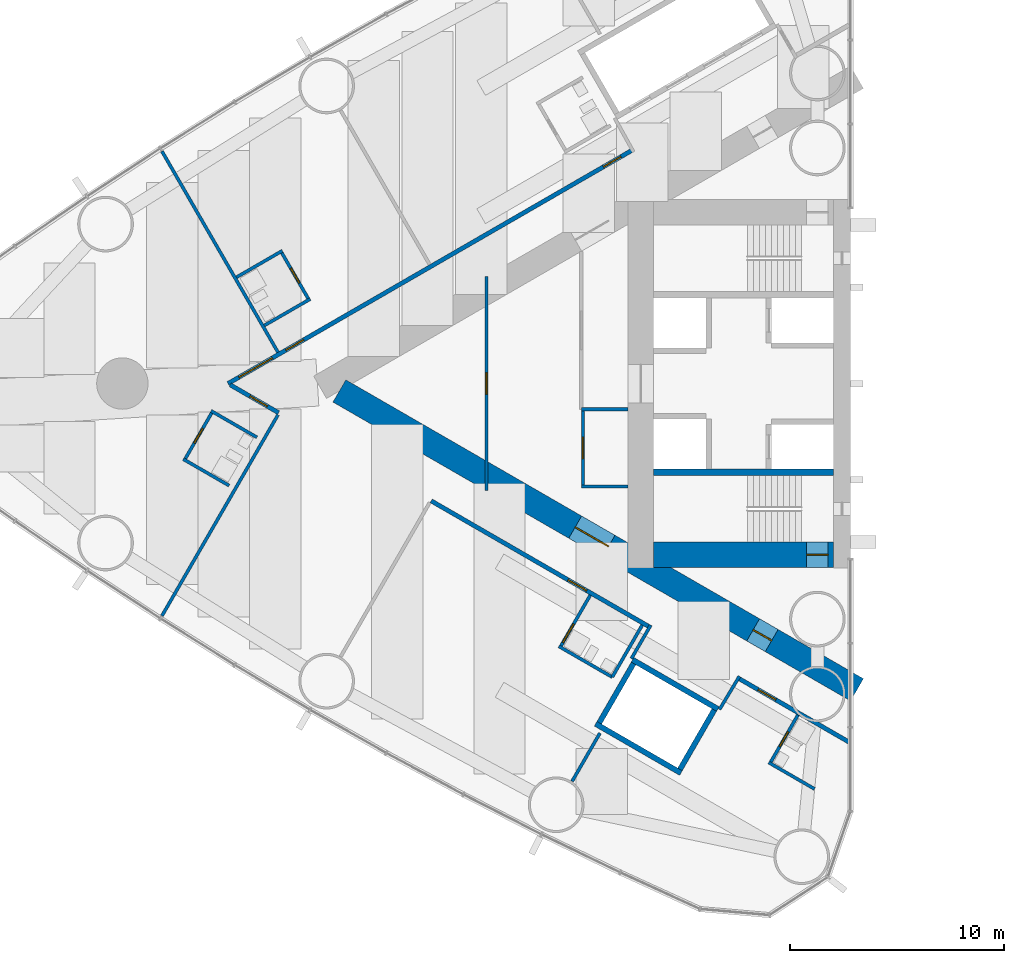
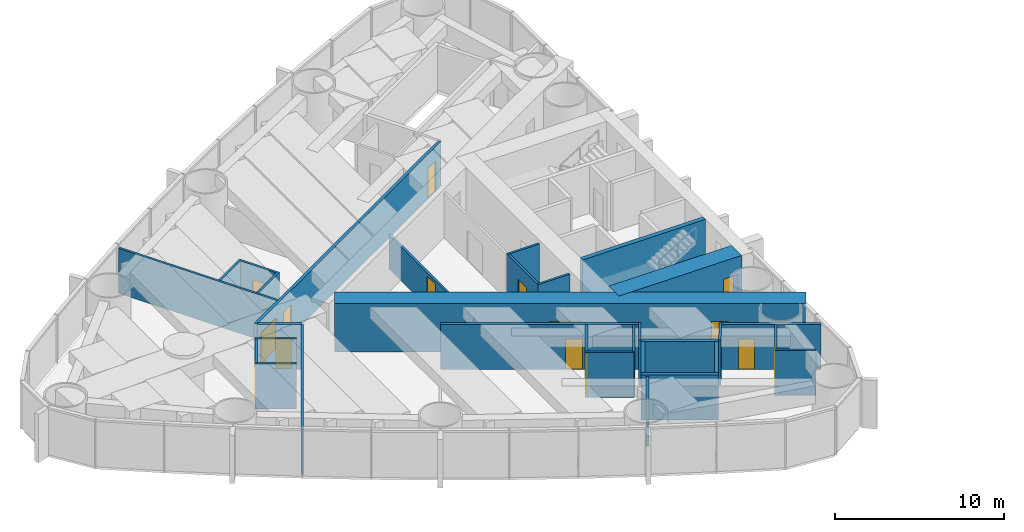
# One storey, part 11 of 18: 31 walls, 15 doors, 15 openings.
"""IFC4 building model written with IfcOpenShell, lengths in metres."""

from ifc_helpers import new_model, si_unit, direction, frame, frame_2d, origin, place, context, subcontext, project, spatial, rectangle, extrude, material, layer, layer_set, type_object, element, fill, save


model = new_model("IFC4")

# Units and contexts
model_context = context("Model", 3, precision=1e-05, world=origin(), true_north=direction((0.0, 1.0)))
body_context = subcontext(model_context, "Body", "Model", "MODEL_VIEW")
ifc_project = project(units=[si_unit("LENGTHUNIT", "METRE"), si_unit("AREAUNIT", "SQUARE_METRE"), si_unit("VOLUMEUNIT", "CUBIC_METRE"), si_unit("PLANEANGLEUNIT", "RADIAN"), si_unit("MASSUNIT", "GRAM", prefix="KILO")], contexts=[model_context])

# Site, building, storey
site_placement = place(None, origin())
site = spatial("IfcSite", under=ifc_project, at=site_placement, CompositionType="ELEMENT")
building_placement = place(site_placement, origin())
building = spatial("IfcBuilding", under=site, at=building_placement, Name="Lancet Gate Hotel", CompositionType="ELEMENT")
storey_placement = place(building_placement, frame((0.0, 0.0, 139.60009765625)))
storey = spatial("IfcBuildingStorey", under=building, at=storey_placement, Name="L37", CompositionType="ELEMENT", Elevation=139.60009765625)

# Wall
ifc_material_1 = material(Name="Moisture resistant board partition")
ifc_layer_1 = layer(ifc_material_1, 0.14990234375)
ifc_layer_set_1 = layer_set([ifc_layer_1], Name="Bathroom wall 150")
wall_type_1 = type_object("IfcWallType", Name="Bathroom wall 150", PredefinedType="PARTITIONING", material=ifc_layer_set_1)
wall_1_placement = place(storey_placement, frame((-54.02734375, 6.201416015625, 0.0), z_axis=(0.0, 0.0, 1.0), x_axis=(-0.866006523861, -0.500032699561, 0.0)))
element("IfcWall", 1, at=wall_1_placement, inside=storey, type_object=wall_type_1, Name="T1 bathroom wall 150 L37", PredefinedType="PARTITIONING", context=body_context, shape_type="SweptSolid", body=[
    extrude(rectangle(XDim=2.474853515625, YDim=0.14990234375, at=frame_2d((1.2373046875, 0.0))), origin(), (0.0, 0.0, 1.0), 3.25),
])

# Wall, opening, door
wall_2_placement = place(storey_placement, frame((-52.792236328125, 3.912109375, 0.0), z_axis=(0.0, 0.0, 1.0), x_axis=(-0.500006934395, 0.866021400173, 0.0)))
wall_2 = element("IfcWall", 2, at=wall_2_placement, inside=storey, type_object=wall_type_1, Name="T1 bathroom wall 150 L37", PredefinedType="PARTITIONING", context=body_context, shape_type="SweptSolid", body=[
    extrude(rectangle(XDim=2.60009765625, YDim=0.14990234375, at=frame_2d((1.300048828125, 0.0))), origin(), (0.0, 0.0, 1.0), 3.25),
])
opening_1_placement = place(wall_2_placement, frame((0.89990234375, 0.0, 0.0)))
opening_1 = element("IfcOpeningElement", 3, at=opening_1_placement, cuts=wall_2, Name="Opening 3703-B", PredefinedType="OPENING", context=body_context, shape_type="SweptSolid", body=[
    extrude(rectangle(XDim=0.800048828125, YDim=2.199951171875, at=frame_2d((0.39990234375, 1.10009765625))), frame((0.0, 0.0849609375, 0.0), z_axis=(0.0, -1.0, 0.0), x_axis=(1.0, 0.0, 0.0)), (0.0, 0.0, 1.0), 0.169921875),
])
ifc_material_2 = material(Name="Timber door set", Category="wood")
door_type_1 = type_object("IfcDoorType", Name="Bathroom door 800", OperationType="SINGLE_SWING_RIGHT", PredefinedType="DOOR", material=ifc_material_2)
door_1_placement = place(opening_1_placement, origin())
door_1 = element("IfcDoor", 4, at=door_1_placement, inside=storey, type_object=door_type_1, Name="3703-B", OperationType="SINGLE_SWING_RIGHT", OverallHeight=2.199951171875, OverallWidth=0.800048828125, PredefinedType="DOOR", context=body_context, shape_type="SweptSolid", body=[
    extrude(rectangle(XDim=0.800048828125, YDim=2.199951171875, at=frame_2d((0.39990234375, 1.10009765625))), frame((0.0, 0.02490234375, 0.0), z_axis=(0.0, -1.0, 0.0), x_axis=(1.0, 0.0, 0.0)), (0.0, 0.0, 1.0), 0.050048828125),
])
fill(opening_1, door_1)

# Walls
wall_3_placement = place(storey_placement, frame((-52.727294921875, 3.94970703125, 0.0), z_axis=(0.0, 0.0, 1.0), x_axis=(-0.866006523861, -0.500032699561, 0.0)))
element("IfcWall", 5, at=wall_3_placement, inside=storey, type_object=wall_type_1, Name="T1 bathroom wall 150 L37", PredefinedType="PARTITIONING", context=body_context, shape_type="SweptSolid", body=[
    extrude(rectangle(XDim=2.474853515625, YDim=0.14990234375, at=frame_2d((1.2373046875, 0.0))), origin(), (0.0, 0.0, 1.0), 3.25),
])
wall_4_placement = place(storey_placement, frame((-56.51708984375, -4.763916015625, 0.0), z_axis=(0.0, 0.0, 1.0), x_axis=(-0.866031185235, 0.4999899861, 0.0)))
element("IfcWall", 6, at=wall_4_placement, inside=storey, type_object=wall_type_1, Name="T1 bathroom wall 150 L37", PredefinedType="PARTITIONING", context=body_context, shape_type="SweptSolid", body=[
    extrude(rectangle(XDim=2.47509765625, YDim=0.14990234375, at=frame_2d((1.237548828125, 0.0))), origin(), (0.0, 0.0, 1.0), 3.25),
])

# Wall, opening, door
wall_5_placement = place(storey_placement, frame((-57.295654296875, -1.312255859375, 0.0), z_axis=(0.0, 0.0, 1.0), x_axis=(-0.49997716683, -0.86603858612, 0.0)))
wall_5 = element("IfcWall", 7, at=wall_5_placement, inside=storey, type_object=wall_type_1, Name="T1 bathroom wall 150 L37", PredefinedType="PARTITIONING", context=body_context, shape_type="SweptSolid", body=[
    extrude(rectangle(XDim=2.599609375, YDim=0.14990234375, at=frame_2d((1.2998046875, 0.0))), origin(), (0.0, 0.0, 1.0), 3.25),
])
opening_2_placement = place(wall_5_placement, frame((0.89990234375, 0.0, 0.0)))
opening_2 = element("IfcOpeningElement", 8, at=opening_2_placement, cuts=wall_5, Name="Opening 3705-B", PredefinedType="OPENING", context=body_context, shape_type="SweptSolid", body=[
    extrude(rectangle(XDim=0.800048828125, YDim=2.199951171875, at=frame_2d((0.39990234375, 1.10009765625))), frame((0.0, 0.0849609375, 0.0), z_axis=(0.0, -1.0, 0.0), x_axis=(1.0, 0.0, 0.0)), (0.0, 0.0, 1.0), 0.169921875),
])
door_2_placement = place(opening_2_placement, origin())
door_2 = element("IfcDoor", 9, at=door_2_placement, inside=storey, type_object=door_type_1, Name="3705-B", OperationType="SINGLE_SWING_RIGHT", OverallHeight=2.199951171875, OverallWidth=0.800048828125, PredefinedType="DOOR", context=body_context, shape_type="SweptSolid", body=[
    extrude(rectangle(XDim=0.800048828125, YDim=2.199951171875, at=frame_2d((0.39990234375, 1.10009765625))), frame((0.0, 0.02490234375, 0.0), z_axis=(0.0, -1.0, 0.0), x_axis=(1.0, 0.0, 0.0)), (0.0, 0.0, 1.0), 0.050048828125),
])
fill(opening_2, door_2)

# Walls
wall_6_placement = place(storey_placement, frame((-55.217041015625, -2.51220703125, 0.0), z_axis=(0.0, 0.0, 1.0), x_axis=(-0.866031185235, 0.4999899861, 0.0)))
element("IfcWall", 10, at=wall_6_placement, inside=storey, type_object=wall_type_1, Name="T1 bathroom wall 150 L37", PredefinedType="PARTITIONING", context=body_context, shape_type="SweptSolid", body=[
    extrude(rectangle(XDim=2.47509765625, YDim=0.14990234375, at=frame_2d((1.237548828125, 0.0))), origin(), (0.0, 0.0, 1.0), 3.25),
])
wall_7_placement = place(storey_placement, frame((-38.630126953125, -13.705322265625, 0.0), z_axis=(0.0, 0.0, 1.0), x_axis=(-0.866018712932, 0.500011588718, 0.0)))
element("IfcWall", 11, at=wall_7_placement, inside=storey, type_object=wall_type_1, Name="T1 bathroom wall 150 L37", PredefinedType="PARTITIONING", context=body_context, shape_type="SweptSolid", body=[
    extrude(rectangle(XDim=2.875, YDim=0.14990234375, at=frame_2d((1.4375, 0.0))), origin(), (0.0, 0.0, 1.0), 3.25),
])

# Wall, opening, door
wall_8_placement = place(storey_placement, frame((-39.65478515625, -9.88037109375, 0.0), z_axis=(0.0, 0.0, 1.0), x_axis=(-0.500049511043, -0.865996816683, 0.0)))
wall_8 = element("IfcWall", 12, at=wall_8_placement, inside=storey, type_object=wall_type_1, Name="T1 bathroom wall 150 L37", PredefinedType="PARTITIONING", context=body_context, shape_type="SweptSolid", body=[
    extrude(rectangle(XDim=2.800048828125, YDim=0.14990234375, at=frame_2d((1.39990234375, 0.0))), origin(), (0.0, 0.0, 1.0), 3.25),
])
opening_3_placement = place(wall_8_placement, frame((1.550048828125, 0.0, 0.0)))
opening_3 = element("IfcOpeningElement", 13, at=opening_3_placement, cuts=wall_8, Name="Opening 3707-B", PredefinedType="OPENING", context=body_context, shape_type="SweptSolid", body=[
    extrude(rectangle(XDim=1.0, YDim=2.199951171875, at=frame_2d((0.5, 1.10009765625))), frame((0.0, 0.0849609375, 0.0), z_axis=(0.0, -1.0, 0.0), x_axis=(1.0, 0.0, 0.0)), (0.0, 0.0, 1.0), 0.169921875),
])
ifc_material_3 = material(Name="Timber door set", Category="wood")
door_type_2 = type_object("IfcDoorType", Name="Accessible en-suite door 1000", OperationType="SINGLE_SWING_RIGHT", PredefinedType="DOOR", material=ifc_material_3)
door_3_placement = place(opening_3_placement, origin())
door_3 = element("IfcDoor", 14, at=door_3_placement, inside=storey, type_object=door_type_2, Name="3707-B", OperationType="SINGLE_SWING_RIGHT", OverallHeight=2.199951171875, OverallWidth=1.0, PredefinedType="DOOR", context=body_context, shape_type="SweptSolid", body=[
    extrude(rectangle(XDim=1.0, YDim=2.199951171875, at=frame_2d((0.5, 1.10009765625))), frame((0.0, 0.02490234375, 0.0), z_axis=(0.0, -1.0, 0.0), x_axis=(1.0, 0.0, 0.0)), (0.0, 0.0, 1.0), 0.050048828125),
])
fill(opening_3, door_3)

# Walls
wall_9_placement = place(storey_placement, frame((-37.22998046875, -11.280517578125, 0.0), z_axis=(0.0, 0.0, 1.0), x_axis=(-0.500049511043, -0.865996816683, 0.0)))
element("IfcWall", 15, at=wall_9_placement, inside=storey, type_object=wall_type_1, Name="T1 bathroom wall 150 L37", PredefinedType="PARTITIONING", context=body_context, shape_type="SweptSolid", body=[
    extrude(rectangle(XDim=2.800048828125, YDim=0.14990234375, at=frame_2d((1.39990234375, 0.0))), origin(), (0.0, 0.0, 1.0), 3.25),
])
wall_10_placement = place(storey_placement, frame((-29.181884765625, -18.92919921875, 0.0), z_axis=(0.0, 0.0, 1.0), x_axis=(-0.866006523861, 0.500032699561, 0.0)))
element("IfcWall", 16, at=wall_10_placement, inside=storey, type_object=wall_type_1, Name="T1 bathroom wall 150 L37", PredefinedType="PARTITIONING", context=body_context, shape_type="SweptSolid", body=[
    extrude(rectangle(XDim=2.474853515625, YDim=0.14990234375, at=frame_2d((1.2373046875, 0.0))), origin(), (0.0, 0.0, 1.0), 3.25),
])

# Wall, opening, door
wall_11_placement = place(storey_placement, frame((-29.960205078125, -15.4775390625, 0.0), z_axis=(0.0, 0.0, 1.0), x_axis=(-0.500006934395, -0.866021400173, 0.0)))
wall_11 = element("IfcWall", 17, at=wall_11_placement, inside=storey, type_object=wall_type_1, Name="T1 bathroom wall 150 L37", PredefinedType="PARTITIONING", context=body_context, shape_type="SweptSolid", body=[
    extrude(rectangle(XDim=2.60009765625, YDim=0.14990234375, at=frame_2d((1.300048828125, 0.0))), origin(), (0.0, 0.0, 1.0), 3.25),
])
opening_4_placement = place(wall_11_placement, frame((0.89990234375, 0.0, 0.0)))
opening_4 = element("IfcOpeningElement", 18, at=opening_4_placement, cuts=wall_11, Name="Opening 3708-B", PredefinedType="OPENING", context=body_context, shape_type="SweptSolid", body=[
    extrude(rectangle(XDim=0.800048828125, YDim=2.199951171875, at=frame_2d((0.39990234375, 1.10009765625))), frame((0.0, 0.0849609375, 0.0), z_axis=(0.0, -1.0, 0.0), x_axis=(1.0, 0.0, 0.0)), (0.0, 0.0, 1.0), 0.169921875),
])
door_4_placement = place(opening_4_placement, origin())
door_4 = element("IfcDoor", 19, at=door_4_placement, inside=storey, type_object=door_type_1, Name="3708-B", OperationType="SINGLE_SWING_RIGHT", OverallHeight=2.199951171875, OverallWidth=0.800048828125, PredefinedType="DOOR", context=body_context, shape_type="SweptSolid", body=[
    extrude(rectangle(XDim=0.800048828125, YDim=2.199951171875, at=frame_2d((0.39990234375, 1.10009765625))), frame((0.0, 0.02490234375, 0.0), z_axis=(0.0, -1.0, 0.0), x_axis=(1.0, 0.0, 0.0)), (0.0, 0.0, 1.0), 0.050048828125),
])
fill(opening_4, door_4)

# Wall, openings, doors
ifc_material_4 = material(Name="Concrete C70/85", Category="concrete")
ifc_layer_2 = layer(ifc_material_4, 1.199951171875)
ifc_layer_set_2 = layer_set([ifc_layer_2], Name="Buttress wall 1200")
wall_type_2 = type_object("IfcWallType", Name="Buttress wall 1200", PredefinedType="SHEAR", material=ifc_layer_set_2)
wall_12_placement = place(storey_placement, frame((-27.199951171875, -14.300048828125, 0.0), z_axis=(0.0, 0.0, 1.0), x_axis=(-0.866024021859, 0.500002393557, 0.0)))
wall_12 = element("IfcWall", 20, at=wall_12_placement, inside=storey, type_object=wall_type_2, Name="T1 buttress wall N L37", PredefinedType="SHEAR", context=body_context, shape_type="SweptSolid", body=[
    extrude(rectangle(XDim=27.906982421875, YDim=1.199951171875, at=frame_2d((13.95361328125, 0.0))), origin(), (0.0, 0.0, 1.0), 3.5),
])
opening_5_placement = place(wall_12_placement, frame((4.60009765625, 0.0, 0.0)))
opening_5 = element("IfcOpeningElement", 21, at=opening_5_placement, cuts=wall_12, Name="Opening T1-L37-LN", PredefinedType="OPENING", context=body_context, shape_type="SweptSolid", body=[
    extrude(rectangle(XDim=1.0, YDim=2.199951171875, at=frame_2d((0.5, 1.10009765625))), frame((0.0, 0.60986328125, 0.0), z_axis=(0.0, -1.0, 0.0), x_axis=(1.0, 0.0, 0.0)), (0.0, 0.0, 1.0), 1.219970703125),
])
opening_6_placement = place(wall_12_placement, frame((13.39453125, 0.0, 0.0)))
opening_6 = element("IfcOpeningElement", 22, at=opening_6_placement, cuts=wall_12, Name="Opening T1-L37-LHN", PredefinedType="OPENING", context=body_context, shape_type="SweptSolid", body=[
    extrude(rectangle(XDim=1.800048828125, YDim=2.199951171875, at=frame_2d((0.89990234375, 1.10009765625))), frame((0.0, 0.60986328125, 0.0), z_axis=(0.0, -1.0, 0.0), x_axis=(1.0, 0.0, 0.0)), (0.0, 0.0, 1.0), 1.219970703125),
])
ifc_material_5 = material(Name="Timber door set", Category="wood")
door_type_3 = type_object("IfcDoorType", Name="Lobby double door 1800", OperationType="DOUBLE_DOOR_SINGLE_SWING", PredefinedType="DOOR", material=ifc_material_5)
door_5_placement = place(opening_6_placement, origin())
door_5 = element("IfcDoor", 23, at=door_5_placement, inside=storey, type_object=door_type_3, Name="T1-L37-LHN", OperationType="DOUBLE_DOOR_SINGLE_SWING", OverallHeight=2.199951171875, OverallWidth=1.800048828125, PredefinedType="DOOR", context=body_context, shape_type="SweptSolid", body=[
    extrude(rectangle(XDim=1.800048828125, YDim=2.199951171875, at=frame_2d((0.89990234375, 1.10009765625))), frame((0.0, 0.02490234375, 0.0), z_axis=(0.0, -1.0, 0.0), x_axis=(1.0, 0.0, 0.0)), (0.0, 0.0, 1.0), 0.050048828125),
])
fill(opening_6, door_5)
ifc_material_6 = material(Name="Timber door set", Category="wood")
door_type_4 = type_object("IfcDoorType", Name="Stair lobby door 1000", OperationType="SINGLE_SWING_LEFT", PredefinedType="DOOR", material=ifc_material_6)
door_6_placement = place(opening_5_placement, origin())
door_6 = element("IfcDoor", 24, at=door_6_placement, inside=storey, type_object=door_type_4, Name="T1-L37-LN", OperationType="SINGLE_SWING_LEFT", OverallHeight=2.199951171875, OverallWidth=1.0, PredefinedType="DOOR", context=body_context, shape_type="SweptSolid", body=[
    extrude(rectangle(XDim=1.0, YDim=2.199951171875, at=frame_2d((0.5, 1.10009765625))), frame((0.0, 0.02490234375, 0.0), z_axis=(0.0, -1.0, 0.0), x_axis=(1.0, 0.0, 0.0)), (0.0, 0.0, 1.0), 0.050048828125),
])
fill(opening_5, door_6)

# Wall, opening, door
ifc_material_7 = material(Name="Concrete C70/85", Category="concrete")
ifc_layer_3 = layer(ifc_material_7, 1.199951171875)
ifc_layer_set_3 = layer_set([ifc_layer_3], Name="Core wall 1200")
wall_type_3 = type_object("IfcWallType", Name="Core wall 1200", PredefinedType="SHEAR", material=ifc_layer_set_3)
wall_13_placement = place(storey_placement, frame((-28.300048828125, -8.0, 0.0), z_axis=(0.0, 0.0, 1.0), x_axis=(-1.0, 0.0, 0.0)))
wall_13 = element("IfcWall", 25, at=wall_13_placement, inside=storey, type_object=wall_type_3, Name="T1 core wall side-N L37", PredefinedType="SHEAR", context=body_context, shape_type="SweptSolid", body=[
    extrude(rectangle(XDim=8.39990234375, YDim=1.199951171875, at=frame_2d((4.199951171875, 0.0))), origin(), (0.0, 0.0, 1.0), 3.5),
])
opening_7_placement = place(wall_13_placement, frame((0.25, 0.0, 0.0)))
opening_7 = element("IfcOpeningElement", 26, at=opening_7_placement, cuts=wall_13, Name="Opening T1-L37-ST2", PredefinedType="OPENING", context=body_context, shape_type="SweptSolid", body=[
    extrude(rectangle(XDim=1.0, YDim=2.199951171875, at=frame_2d((0.5, 1.10009765625))), frame((0.0, 0.60986328125, 0.0), z_axis=(0.0, -1.0, 0.0), x_axis=(1.0, 0.0, 0.0)), (0.0, 0.0, 1.0), 1.219970703125),
])
ifc_material_8 = material(Name="Timber door set", Category="wood")
door_type_5 = type_object("IfcDoorType", Name="Stair door 1000", OperationType="SINGLE_SWING_RIGHT", PredefinedType="DOOR", material=ifc_material_8)
door_7_placement = place(opening_7_placement, origin())
door_7 = element("IfcDoor", 27, at=door_7_placement, inside=storey, type_object=door_type_5, Name="T1-L37-ST2", OperationType="SINGLE_SWING_RIGHT", OverallHeight=2.199951171875, OverallWidth=1.0, PredefinedType="DOOR", context=body_context, shape_type="SweptSolid", body=[
    extrude(rectangle(XDim=1.0, YDim=2.199951171875, at=frame_2d((0.5, 1.10009765625))), frame((0.0, 0.02490234375, 0.0), z_axis=(0.0, -1.0, 0.0), x_axis=(1.0, 0.0, 0.0)), (0.0, 0.0, 1.0), 0.050048828125),
])
fill(opening_7, door_7)

# Wall, openings, doors
ifc_material_9 = material(Name="Gypsum board partition")
ifc_layer_4 = layer(ifc_material_9, 0.199951171875)
ifc_layer_set_4 = layer_set([ifc_layer_4], Name="Corridor wall 200")
wall_type_4 = type_object("IfcWallType", Name="Corridor wall 200", PredefinedType="PARTITIONING", material=ifc_layer_set_4)
wall_14_placement = place(storey_placement, frame((-37.699951171875, 10.8935546875, 0.0), z_axis=(0.0, 0.0, 1.0), x_axis=(-0.866027905338, -0.499995667157, 0.0)))
wall_14 = element("IfcWall", 28, at=wall_14_placement, inside=storey, type_object=wall_type_4, Name="T1 corridor wall 200 L37", PredefinedType="PARTITIONING", context=body_context, shape_type="SweptSolid", body=[
    extrude(rectangle(XDim=21.787353515625, YDim=0.199951171875, at=frame_2d((10.8935546875, 0.0))), origin(), (0.0, 0.0, 1.0), 3.25),
])
opening_8_placement = place(wall_14_placement, frame((17.7109375, 0.0, 0.0)))
opening_8 = element("IfcOpeningElement", 29, at=opening_8_placement, cuts=wall_14, Name="Opening 3703-E", PredefinedType="OPENING", context=body_context, shape_type="SweptSolid", body=[
    extrude(rectangle(XDim=0.949951171875, YDim=2.199951171875, at=frame_2d((0.47509765625, 1.10009765625))), frame((0.0, 0.10986328125, 0.0), z_axis=(0.0, -1.0, 0.0), x_axis=(1.0, 0.0, 0.0)), (0.0, 0.0, 1.0), 0.219970703125),
])
opening_9_placement = place(wall_14_placement, frame((19.39892578125, 0.0, 0.0)))
opening_9 = element("IfcOpeningElement", 30, at=opening_9_placement, cuts=wall_14, Name="Opening 3704-E", PredefinedType="OPENING", context=body_context, shape_type="SweptSolid", body=[
    extrude(rectangle(XDim=1.800048828125, YDim=2.199951171875, at=frame_2d((0.89990234375, 1.10009765625))), frame((0.0, 0.10986328125, 0.0), z_axis=(0.0, -1.0, 0.0), x_axis=(1.0, 0.0, 0.0)), (0.0, 0.0, 1.0), 0.219970703125),
])
opening_10_placement = place(wall_14_placement, frame((0.60009765625, 0.0, 0.0)))
opening_10 = element("IfcOpeningElement", 31, at=opening_10_placement, cuts=wall_14, Name="Opening 3702-E", PredefinedType="OPENING", context=body_context, shape_type="SweptSolid", body=[
    extrude(rectangle(XDim=0.949951171875, YDim=2.199951171875, at=frame_2d((0.47509765625, 1.10009765625))), frame((0.0, 0.10986328125, 0.0), z_axis=(0.0, -1.0, 0.0), x_axis=(1.0, 0.0, 0.0)), (0.0, 0.0, 1.0), 0.219970703125),
])
ifc_material_10 = material(Name="Timber door set", Category="wood")
door_type_6 = type_object("IfcDoorType", Name="Double door 1800", OperationType="DOUBLE_DOOR_SINGLE_SWING", PredefinedType="DOOR", material=ifc_material_10)
door_8_placement = place(opening_9_placement, origin())
door_8 = element("IfcDoor", 32, at=door_8_placement, inside=storey, type_object=door_type_6, Name="3704-E", OperationType="DOUBLE_DOOR_SINGLE_SWING", OverallHeight=2.199951171875, OverallWidth=1.800048828125, PredefinedType="DOOR", context=body_context, shape_type="SweptSolid", body=[
    extrude(rectangle(XDim=1.800048828125, YDim=2.199951171875, at=frame_2d((0.89990234375, 1.10009765625))), frame((0.0, 0.02490234375, 0.0), z_axis=(0.0, -1.0, 0.0), x_axis=(1.0, 0.0, 0.0)), (0.0, 0.0, 1.0), 0.050048828125),
])
fill(opening_9, door_8)
ifc_material_11 = material(Name="Timber door set", Category="wood")
door_type_7 = type_object("IfcDoorType", Name="Guest room entry door 950", OperationType="SINGLE_SWING_LEFT", PredefinedType="DOOR", material=ifc_material_11)
door_9_placement = place(opening_8_placement, origin())
door_9 = element("IfcDoor", 33, at=door_9_placement, inside=storey, type_object=door_type_7, Name="3703-E", OperationType="SINGLE_SWING_LEFT", OverallHeight=2.199951171875, OverallWidth=0.949951171875, PredefinedType="DOOR", context=body_context, shape_type="SweptSolid", body=[
    extrude(rectangle(XDim=0.949951171875, YDim=2.199951171875, at=frame_2d((0.47509765625, 1.10009765625))), frame((0.0, 0.02490234375, 0.0), z_axis=(0.0, -1.0, 0.0), x_axis=(1.0, 0.0, 0.0)), (0.0, 0.0, 1.0), 0.050048828125),
])
fill(opening_8, door_9)
door_10_placement = place(opening_10_placement, origin())
door_10 = element("IfcDoor", 34, at=door_10_placement, inside=storey, type_object=door_type_7, Name="3702-E", OperationType="SINGLE_SWING_LEFT", OverallHeight=2.199951171875, OverallWidth=0.949951171875, PredefinedType="DOOR", context=body_context, shape_type="SweptSolid", body=[
    extrude(rectangle(XDim=0.949951171875, YDim=2.199951171875, at=frame_2d((0.47509765625, 1.10009765625))), frame((0.0, 0.02490234375, 0.0), z_axis=(0.0, -1.0, 0.0), x_axis=(1.0, 0.0, 0.0)), (0.0, 0.0, 1.0), 0.050048828125),
])
fill(opening_10, door_10)

# Wall, opening, door
wall_15_placement = place(storey_placement, frame((-27.572021484375, -16.740966796875, 0.0), z_axis=(0.0, 0.0, 1.0), x_axis=(-0.866024464444, 0.500001626982, 0.0)))
wall_15 = element("IfcWall", 35, at=wall_15_placement, inside=storey, type_object=wall_type_4, Name="T1 corridor wall 200 L37", PredefinedType="PARTITIONING", context=body_context, shape_type="SweptSolid", body=[
    extrude(rectangle(XDim=5.955078125, YDim=0.199951171875, at=frame_2d((2.9775390625, 0.0))), origin(), (0.0, 0.0, 1.0), 3.25),
])
opening_11_placement = place(wall_15_placement, frame((3.949951171875, 0.0, 0.0)))
opening_11 = element("IfcOpeningElement", 36, at=opening_11_placement, cuts=wall_15, Name="Opening 3708-E", PredefinedType="OPENING", context=body_context, shape_type="SweptSolid", body=[
    extrude(rectangle(XDim=0.949951171875, YDim=2.199951171875, at=frame_2d((0.47509765625, 1.10009765625))), frame((0.0, 0.10986328125, 0.0), z_axis=(0.0, -1.0, 0.0), x_axis=(1.0, 0.0, 0.0)), (0.0, 0.0, 1.0), 0.219970703125),
])
door_11_placement = place(opening_11_placement, origin())
door_11 = element("IfcDoor", 37, at=door_11_placement, inside=storey, type_object=door_type_7, Name="3708-E", OperationType="SINGLE_SWING_LEFT", OverallHeight=2.199951171875, OverallWidth=0.949951171875, PredefinedType="DOOR", context=body_context, shape_type="SweptSolid", body=[
    extrude(rectangle(XDim=0.949951171875, YDim=2.199951171875, at=frame_2d((0.47509765625, 1.10009765625))), frame((0.0, 0.02490234375, 0.0), z_axis=(0.0, -1.0, 0.0), x_axis=(1.0, 0.0, 0.0)), (0.0, 0.0, 1.0), 0.050048828125),
])
fill(opening_11, door_11)

wall_16_placement = place(storey_placement, frame((-36.920166015625, -11.34375, 0.0), z_axis=(0.0, 0.0, 1.0), x_axis=(-0.866027897759, 0.499995680284, 0.0)))
wall_16 = element("IfcWall", 38, at=wall_16_placement, inside=storey, type_object=wall_type_4, Name="T1 corridor wall 200 L37", PredefinedType="PARTITIONING", context=body_context, shape_type="SweptSolid", body=[
    extrude(rectangle(XDim=11.73095703125, YDim=0.199951171875, at=frame_2d((5.865478515625, 0.0))), origin(), (0.0, 0.0, 1.0), 3.25),
])
opening_12_placement = place(wall_16_placement, frame((3.35009765625, 0.0, 0.0)))
opening_12 = element("IfcOpeningElement", 39, at=opening_12_placement, cuts=wall_16, Name="Opening 3707-E", PredefinedType="OPENING", context=body_context, shape_type="SweptSolid", body=[
    extrude(rectangle(XDim=1.0, YDim=2.199951171875, at=frame_2d((0.5, 1.10009765625))), frame((0.0, 0.10986328125, 0.0), z_axis=(0.0, -1.0, 0.0), x_axis=(1.0, 0.0, 0.0)), (0.0, 0.0, 1.0), 0.219970703125),
])
ifc_material_12 = material(Name="Timber door set", Category="wood")
door_type_8 = type_object("IfcDoorType", Name="Accessible guest room door 1000", OperationType="SINGLE_SWING_LEFT", PredefinedType="DOOR", material=ifc_material_12)
door_12_placement = place(opening_12_placement, origin())
door_12 = element("IfcDoor", 40, at=door_12_placement, inside=storey, type_object=door_type_8, Name="3707-E", OperationType="SINGLE_SWING_LEFT", OverallHeight=2.199951171875, OverallWidth=1.0, PredefinedType="DOOR", context=body_context, shape_type="SweptSolid", body=[
    extrude(rectangle(XDim=1.0, YDim=2.199951171875, at=frame_2d((0.5, 1.10009765625))), frame((0.0, 0.02490234375, 0.0), z_axis=(0.0, -1.0, 0.0), x_axis=(1.0, 0.0, 0.0)), (0.0, 0.0, 1.0), 0.050048828125),
])
fill(opening_12, door_12)

wall_17_placement = place(storey_placement, frame((-54.207275390625, -1.363037109375, 0.0), z_axis=(0.0, 0.0, 1.0), x_axis=(-0.866049872286, 0.499957616916, 0.0)))
wall_17 = element("IfcWall", 41, at=wall_17_placement, inside=storey, type_object=wall_type_4, Name="T1 corridor wall 200 L37", PredefinedType="PARTITIONING", context=body_context, shape_type="SweptSolid", body=[
    extrude(rectangle(XDim=2.606201171875, YDim=0.199951171875, at=frame_2d((1.30322265625, 0.0))), origin(), (0.0, 0.0, 1.0), 3.25),
])
opening_13_placement = place(wall_17_placement, frame((0.60009765625, 0.0, 0.0)))
opening_13 = element("IfcOpeningElement", 42, at=opening_13_placement, cuts=wall_17, Name="Opening 3705-E", PredefinedType="OPENING", context=body_context, shape_type="SweptSolid", body=[
    extrude(rectangle(XDim=0.949951171875, YDim=2.199951171875, at=frame_2d((0.47509765625, 1.10009765625))), frame((0.0, 0.10986328125, 0.0), z_axis=(0.0, -1.0, 0.0), x_axis=(1.0, 0.0, 0.0)), (0.0, 0.0, 1.0), 0.219970703125),
])
door_13_placement = place(opening_13_placement, origin())
door_13 = element("IfcDoor", 43, at=door_13_placement, inside=storey, type_object=door_type_7, Name="3705-E", OperationType="SINGLE_SWING_LEFT", OverallHeight=2.199951171875, OverallWidth=0.949951171875, PredefinedType="DOOR", context=body_context, shape_type="SweptSolid", body=[
    extrude(rectangle(XDim=0.949951171875, YDim=2.199951171875, at=frame_2d((0.47509765625, 1.10009765625))), frame((0.0, 0.02490234375, 0.0), z_axis=(0.0, -1.0, 0.0), x_axis=(1.0, 0.0, 0.0)), (0.0, 0.0, 1.0), 0.050048828125),
])
fill(opening_13, door_13)

# Walls
ifc_material_13 = material(Name="Gypsum board partition")
ifc_layer_5 = layer(ifc_material_13, 0.25)
ifc_layer_set_5 = layer_set([ifc_layer_5], Name="Lift shaft partition 250")
wall_type_5 = type_object("IfcWallType", Name="Lift shaft partition 250", PredefinedType="PARTITIONING", material=ifc_layer_set_5)
wall_18_placement = place(storey_placement, frame((-33.695556640625, -15.197265625, 0.0), z_axis=(0.0, 0.0, 1.0), x_axis=(-0.865976953817, 0.500083908417, 0.0)))
element("IfcWall", 44, at=wall_18_placement, inside=storey, type_object=wall_type_5, Name="T1 lift shaft wall EX L37", PredefinedType="PARTITIONING", context=body_context, shape_type="SweptSolid", body=[
    extrude(rectangle(XDim=4.599365234375, YDim=0.25, at=frame_2d((2.2998046875, 0.0))), origin(), (0.0, 0.0, 1.0), 3.25),
])
wall_19_placement = place(storey_placement, frame((-35.42041015625, -18.185791015625, 0.0), z_axis=(0.0, 0.0, 1.0), x_axis=(-0.865990227814, 0.50006092162, 0.0)))
element("IfcWall", 45, at=wall_19_placement, inside=storey, type_object=wall_type_5, Name="T1 lift shaft wall EX L37", PredefinedType="PARTITIONING", context=body_context, shape_type="SweptSolid", body=[
    extrude(rectangle(XDim=4.599609375, YDim=0.25, at=frame_2d((2.2998046875, 0.0))), origin(), (0.0, 0.0, 1.0), 3.25),
])
wall_20_placement = place(storey_placement, frame((-33.8662109375, -15.242919921875, 0.0), z_axis=(0.0, 0.0, 1.0), x_axis=(-0.499929347863, -0.866066190972, 0.0)))
element("IfcWall", 46, at=wall_20_placement, inside=storey, type_object=wall_type_5, Name="T1 lift shaft wall EX L37", PredefinedType="PARTITIONING", context=body_context, shape_type="SweptSolid", body=[
    extrude(rectangle(XDim=3.20068359375, YDim=0.25, at=frame_2d((1.600341796875, 0.0))), origin(), (0.0, 0.0, 1.0), 3.25),
])
wall_21_placement = place(storey_placement, frame((-37.6328125, -13.068115234375, 0.0), z_axis=(0.0, 0.0, 1.0), x_axis=(-0.499872130319, -0.866099216793, 0.0)))
element("IfcWall", 47, at=wall_21_placement, inside=storey, type_object=wall_type_5, Name="T1 lift shaft wall EX L37", PredefinedType="PARTITIONING", context=body_context, shape_type="SweptSolid", body=[
    extrude(rectangle(XDim=3.200439453125, YDim=0.25, at=frame_2d((1.60009765625, 0.0))), origin(), (0.0, 0.0, 1.0), 3.25),
])
ifc_material_14 = material(Name="Gypsum board partition")
ifc_layer_6 = layer(ifc_material_14, 0.14990234375)
ifc_layer_set_6 = layer_set([ifc_layer_6], Name="Party wall 150")
wall_type_6 = type_object("IfcWallType", Name="Party wall 150", PredefinedType="PARTITIONING", material=ifc_layer_set_6)
for number, where, z_axis, x_axis, name in (
    (48, (-54.235595703125, 1.462158203125, 0.0), (0.0, 0.0, 1.0), (-0.499990351854, 0.866030974073, 0.0), "T1 party wall 150 L37"),
    (49, (-54.235595703125, -1.462158203125, 0.0), (0.0, 0.0, 1.0), (-0.499990351854, -0.866030974073, 0.0), "T1 party wall 150 L37"),
):
    element("IfcWall", number, at=place(storey_placement, frame(where, z_axis=z_axis, x_axis=x_axis)), inside=storey, type_object=wall_type_6, Name=name, PredefinedType="PARTITIONING", context=body_context, shape_type="SweptSolid", body=[
        extrude(rectangle(XDim=10.833740234375, YDim=0.14990234375, at=frame_2d((5.4169921875, 0.0))), origin(), (0.0, 0.0, 1.0), 3.25),
    ])
wall_22_placement = place(storey_placement, frame((-39.2021484375, -16.319580078125, 0.0), z_axis=(0.0, 0.0, 1.0), x_axis=(-0.49997716683, -0.86603858612, 0.0)))
element("IfcWall", 50, at=wall_22_placement, inside=storey, type_object=wall_type_6, Name="T1 party wall 150 L37", PredefinedType="PARTITIONING", context=body_context, shape_type="SweptSolid", body=[
    extrude(rectangle(XDim=2.599609375, YDim=0.14990234375, at=frame_2d((1.2998046875, 0.0))), origin(), (0.0, 0.0, 1.0), 3.25),
])
ifc_material_15 = material(Name="Gypsum board partition")
ifc_layer_7 = layer(ifc_material_15, 0.14990234375)
ifc_layer_set_7 = layer_set([ifc_layer_7], Name="Service room wall 150")
wall_type_7 = type_object("IfcWallType", Name="Service room wall 150", PredefinedType="PARTITIONING", material=ifc_layer_set_7)
wall_23_placement = place(storey_placement, frame((-36.831298828125, -11.27978515625, 0.0), z_axis=(0.0, 0.0, 1.0), x_axis=(-0.499937177781, -0.866061671171, 0.0)))
element("IfcWall", 51, at=wall_23_placement, inside=storey, type_object=wall_type_7, Name="T1 service room wall 150 L37", PredefinedType="PARTITIONING", context=body_context, shape_type="SweptSolid", body=[
    extrude(rectangle(XDim=1.804443359375, YDim=0.14990234375, at=frame_2d((0.90234375, 0.0))), origin(), (0.0, 0.0, 1.0), 3.25),
])
wall_24_placement = place(storey_placement, frame((-33.62060546875, -15.217529296875, 0.0), z_axis=(0.0, 0.0, 1.0), x_axis=(0.514336634837, 0.857588377991, 0.0)))
element("IfcWall", 52, at=wall_24_placement, inside=storey, type_object=wall_type_7, Name="T1 service room wall 150 L37", PredefinedType="PARTITIONING", context=body_context, shape_type="SweptSolid", body=[
    extrude(rectangle(XDim=1.80517578125, YDim=0.14990234375, at=frame_2d((0.902587890625, 0.0))), origin(), (0.0, 0.0, 1.0), 3.25),
])
for number, where, z_axis, x_axis, name in (
    (53, (-37.89990234375, -1.199951171875, 0.0), (0.0, 0.0, 1.0), (-1.0, 0.0, 0.0), "T1 service room wall 150 L37"),
    (54, (-37.89990234375, -4.800048828125, 0.0), (0.0, 0.0, 1.0), (-1.0, 0.0, 0.0), "T1 service room wall 150 L37"),
):
    element("IfcWall", number, at=place(storey_placement, frame(where, z_axis=z_axis, x_axis=x_axis)), inside=storey, type_object=wall_type_7, Name=name, PredefinedType="PARTITIONING", context=body_context, shape_type="SweptSolid", body=[
        extrude(rectangle(XDim=2.175048828125, YDim=0.14990234375, at=frame_2d((1.08740234375, 0.0))), origin(), (0.0, 0.0, 1.0), 3.25),
    ])

# Wall, opening, door
wall_25_placement = place(storey_placement, frame((-40.0, -1.125, 0.0), z_axis=(0.0, 0.0, 1.0), x_axis=(0.0, -1.0, 0.0)))
wall_25 = element("IfcWall", 55, at=wall_25_placement, inside=storey, type_object=wall_type_7, Name="T1 service room wall 150 L37", PredefinedType="PARTITIONING", context=body_context, shape_type="SweptSolid", body=[
    extrude(rectangle(XDim=3.75, YDim=0.14990234375, at=frame_2d((1.875, 0.0))), origin(), (0.0, 0.0, 1.0), 3.25),
])
opening_14_placement = place(wall_25_placement, frame((1.375, 0.0, 0.0)))
opening_14 = element("IfcOpeningElement", 56, at=opening_14_placement, cuts=wall_25, Name="Opening T1-L37-HRN0", PredefinedType="OPENING", context=body_context, shape_type="SweptSolid", body=[
    extrude(rectangle(XDim=1.0, YDim=2.199951171875, at=frame_2d((0.5, 1.10009765625))), frame((0.0, 0.0849609375, 0.0), z_axis=(0.0, -1.0, 0.0), x_axis=(1.0, 0.0, 0.0)), (0.0, 0.0, 1.0), 0.169921875),
])
ifc_material_16 = material(Name="Timber door set", Category="wood")
door_type_9 = type_object("IfcDoorType", Name="Service door 1000", OperationType="SINGLE_SWING_LEFT", PredefinedType="DOOR", material=ifc_material_16)
door_14_placement = place(opening_14_placement, origin())
door_14 = element("IfcDoor", 57, at=door_14_placement, inside=storey, type_object=door_type_9, Name="T1-L37-HRN0", OperationType="SINGLE_SWING_LEFT", OverallHeight=2.199951171875, OverallWidth=1.0, PredefinedType="DOOR", context=body_context, shape_type="SweptSolid", body=[
    extrude(rectangle(XDim=1.0, YDim=2.199951171875, at=frame_2d((0.5, 1.10009765625))), frame((0.0, 0.02490234375, 0.0), z_axis=(0.0, -1.0, 0.0), x_axis=(1.0, 0.0, 0.0)), (0.0, 0.0, 1.0), 0.050048828125),
])
fill(opening_14, door_14)

wall_26_placement = place(storey_placement, frame((-44.5, 5.004638671875, 0.0), z_axis=(0.0, 0.0, 1.0), x_axis=(0.0, -1.0, 0.0)))
wall_26 = element("IfcWall", 58, at=wall_26_placement, inside=storey, type_object=wall_type_7, Name="T1 service room wall 150 L37", PredefinedType="PARTITIONING", context=body_context, shape_type="SweptSolid", body=[
    extrude(rectangle(XDim=10.00927734375, YDim=0.14990234375, at=frame_2d((5.004638671875, 0.0))), origin(), (0.0, 0.0, 1.0), 2.449951171875),
])
opening_15_placement = place(wall_26_placement, frame((4.504638671875, 0.0, 0.0)))
opening_15 = element("IfcOpeningElement", 59, at=opening_15_placement, cuts=wall_26, Name="Opening T1-L37-SV", PredefinedType="OPENING", context=body_context, shape_type="SweptSolid", body=[
    extrude(rectangle(XDim=1.0, YDim=2.199951171875, at=frame_2d((0.5, 1.10009765625))), frame((0.0, 0.0849609375, 0.0), z_axis=(0.0, -1.0, 0.0), x_axis=(1.0, 0.0, 0.0)), (0.0, 0.0, 1.0), 0.169921875),
])
door_15_placement = place(opening_15_placement, origin())
door_15 = element("IfcDoor", 60, at=door_15_placement, inside=storey, type_object=door_type_9, Name="T1-L37-SV", OperationType="SINGLE_SWING_LEFT", OverallHeight=2.199951171875, OverallWidth=1.0, PredefinedType="DOOR", context=body_context, shape_type="SweptSolid", body=[
    extrude(rectangle(XDim=1.0, YDim=2.199951171875, at=frame_2d((0.5, 1.10009765625))), frame((0.0, 0.02490234375, 0.0), z_axis=(0.0, -1.0, 0.0), x_axis=(1.0, 0.0, 0.0)), (0.0, 0.0, 1.0), 0.050048828125),
])
fill(opening_15, door_15)

# Wall
ifc_material_17 = material(Name="Concrete C50/60", Category="concrete")
ifc_layer_8 = layer(ifc_material_17, 0.300048828125)
ifc_layer_set_8 = layer_set([ifc_layer_8], Name="Stair enclosure wall 300")
wall_type_8 = type_object("IfcWallType", Name="Stair enclosure wall 300", PredefinedType="SHEAR", material=ifc_layer_set_8)
wall_27_placement = place(storey_placement, frame((-28.300048828125, -4.14990234375, 0.0), z_axis=(0.0, 0.0, 1.0), x_axis=(-1.0, 0.0, 0.0)))
element("IfcWall", 61, at=wall_27_placement, inside=storey, type_object=wall_type_8, Name="T1 core wall stair-N L37", PredefinedType="SHEAR", context=body_context, shape_type="SweptSolid", body=[
    extrude(rectangle(XDim=8.39990234375, YDim=0.300048828125, at=frame_2d((4.199951171875, 0.0))), origin(), (0.0, 0.0, 1.0), 3.5),
])

save(model, "model.ifc")
